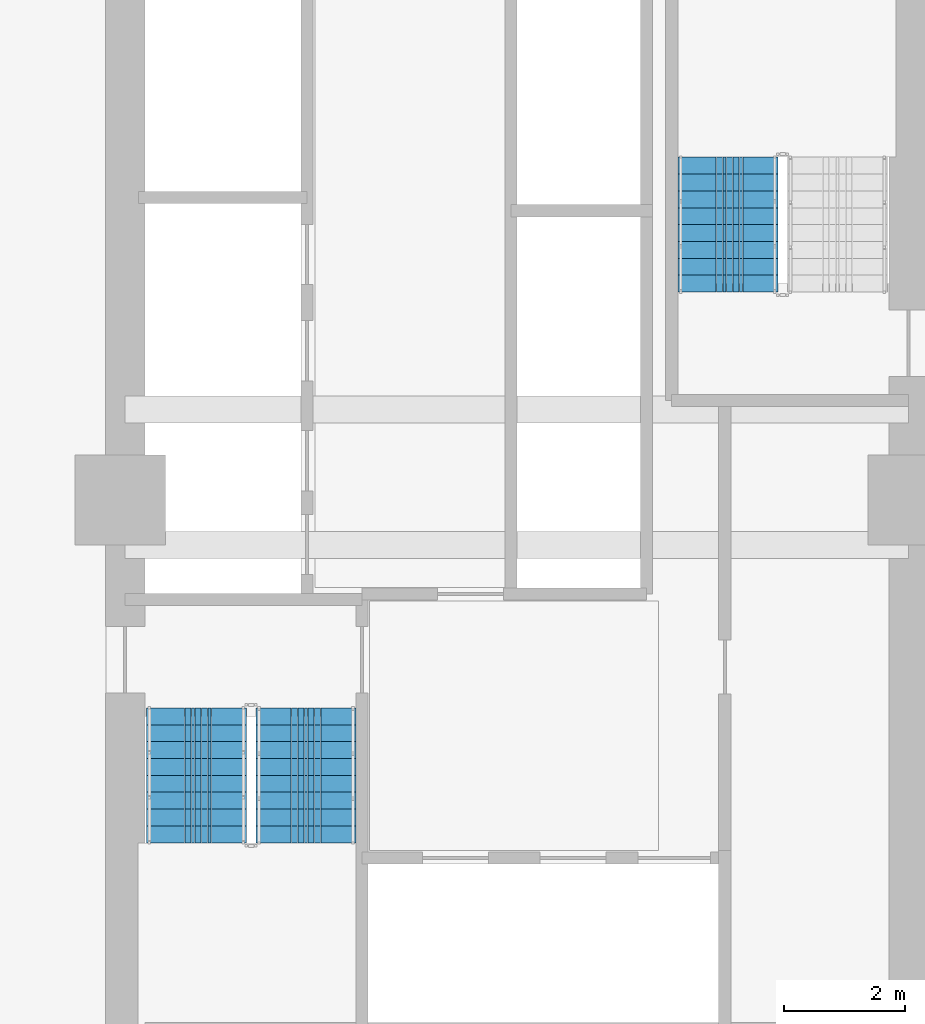
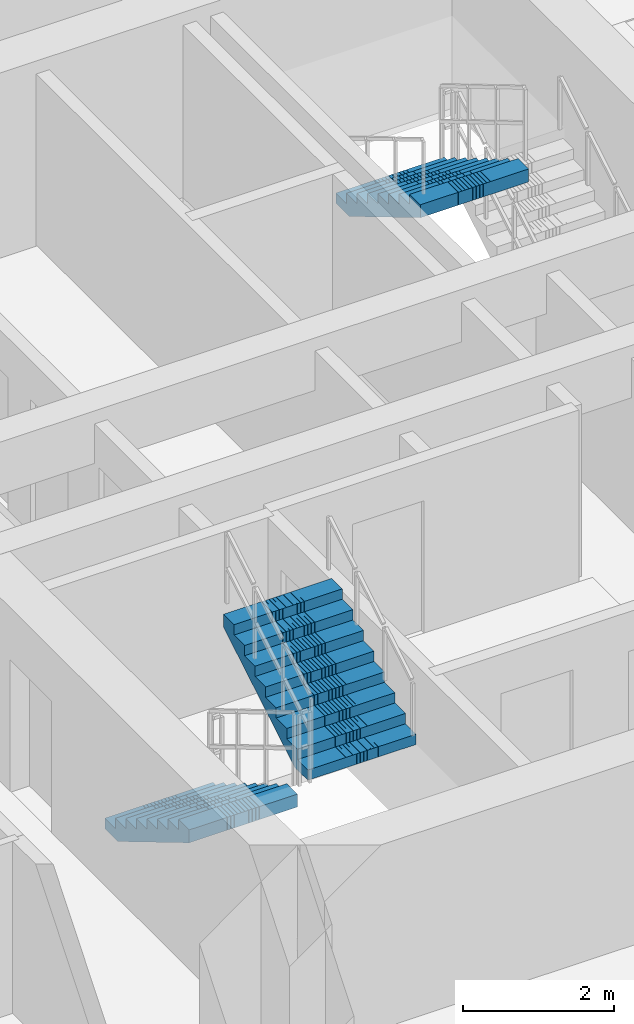
# One storey, part 10 of 19: 3 stair flights, 2 elements without a shape of their own.
"""IFC4 building model written with IfcOpenShell, lengths in metres."""

from ifc_helpers import new_model, si_unit, direction, frame, origin, place, context, subcontext, project, spatial, polyline, outline, extrude, material, type_object, element, aggregate, save


model = new_model("IFC4")

# Units and contexts
model_context = context("Model", 3, precision=1e-05, world=origin(), true_north=direction((0.0, 1.0)))
body_context = subcontext(model_context, "Body", "Model", "MODEL_VIEW")
ifc_project = project(units=[si_unit("LENGTHUNIT", "METRE"), si_unit("AREAUNIT", "SQUARE_METRE"), si_unit("VOLUMEUNIT", "CUBIC_METRE"), si_unit("PLANEANGLEUNIT", "RADIAN"), si_unit("MASSUNIT", "GRAM", prefix="KILO")], contexts=[model_context])

# Site, building, storey
site_placement = place(None, origin())
site = spatial("IfcSite", under=ifc_project, at=site_placement, CompositionType="ELEMENT")
building_placement = place(site_placement, origin())
building = spatial("IfcBuilding", under=site, at=building_placement, Name="Saelheon Loggia Tower", CompositionType="ELEMENT")
storey_placement = place(building_placement, frame((0.0, 0.0, 19.39990234375)))
storey = spatial("IfcBuildingStorey", under=building, at=storey_placement, Name="L05", CompositionType="ELEMENT", Elevation=19.39990234375)

# Stair, stair flights
ifc_material = material(Name="Concrete C40/50", Category="concrete")
stair_type = type_object("IfcStairType", Name="Stair_Escape_Core", PredefinedType="HALF_TURN_STAIR", material=ifc_material)
stair_1_placement = place(storey_placement, origin())
stair_1 = element("IfcStair", 1, at=stair_1_placement, inside=storey, type_object=stair_type, Name="L05 Special Escape Stair ST1", PredefinedType="HALF_TURN_STAIR")
stair_flight_type = type_object("IfcStairFlightType", Name="StairFlight_Tower_1660", PredefinedType="STRAIGHT", material=ifc_material)
stair_flight_1_placement = place(storey_placement, frame((32.679931640625, 23.550048828125, 0.0), z_axis=(0.0, 0.0, 1.0), x_axis=(0.0, -1.0, 0.0)))
stair_flight_1 = element("IfcStairFlight", 2, at=stair_flight_1_placement, type_object=stair_flight_type, Name="ST1 flight 1", NumberOfRisers=9, NumberOfTreads=8, PredefinedType="STRAIGHT", RiserHeight=0.166666667, TreadLength=0.28, context=body_context, shape_type="SweptSolid", body=[
    extrude(outline(polyline([(0.0, 0.0), (0.0, 0.166748046875), (0.280029296875, 0.166748046875), (0.280029296875, 0.333251953125), (0.56005859375, 0.333251953125), (0.56005859375, 0.5), (0.840087890625, 0.5), (0.840087890625, 0.666748046875), (1.1201171875, 0.666748046875), (1.1201171875, 0.833251953125), (1.39990234375, 0.833251953125), (1.39990234375, 1.0), (1.679931640625, 1.0), (1.679931640625, 1.166748046875), (1.9599609375, 1.166748046875), (1.9599609375, 1.333251953125), (2.239990234375, 1.333251953125), (2.239990234375, 1.5), (2.239990234375, 1.1240234375), (0.351806640625, 0.0), (0.0, 0.0)])), frame((0.0, -0.2490234375, 0.0), z_axis=(0.0, -1.0, 0.0), x_axis=(1.0, 0.0, 0.0)), (0.0, 0.0, 1.0), 0.5810546875),
    extrude(outline(polyline([(0.0, 0.0), (0.0, 0.166748046875), (0.280029296875, 0.166748046875), (0.280029296875, 0.333251953125), (0.56005859375, 0.333251953125), (0.56005859375, 0.5), (0.840087890625, 0.5), (0.840087890625, 0.666748046875), (1.1201171875, 0.666748046875), (1.1201171875, 0.833251953125), (1.39990234375, 0.833251953125), (1.39990234375, 1.0), (1.679931640625, 1.0), (1.679931640625, 1.166748046875), (1.9599609375, 1.166748046875), (1.9599609375, 1.333251953125), (2.239990234375, 1.333251953125), (2.239990234375, 1.5), (2.239990234375, 1.1240234375), (0.351806640625, 0.0), (0.0, 0.0)])), frame((0.0, -0.194091796875, 0.0), z_axis=(0.0, -1.0, 0.0), x_axis=(1.0, 0.0, 0.0)), (0.0, 0.0, 1.0), 0.0498046875),
    extrude(outline(polyline([(0.0, 0.0), (0.0, 0.166748046875), (0.280029296875, 0.166748046875), (0.280029296875, 0.333251953125), (0.56005859375, 0.333251953125), (0.56005859375, 0.5), (0.840087890625, 0.5), (0.840087890625, 0.666748046875), (1.1201171875, 0.666748046875), (1.1201171875, 0.833251953125), (1.39990234375, 0.833251953125), (1.39990234375, 1.0), (1.679931640625, 1.0), (1.679931640625, 1.166748046875), (1.9599609375, 1.166748046875), (1.9599609375, 1.333251953125), (2.239990234375, 1.333251953125), (2.239990234375, 1.5), (2.239990234375, 1.1240234375), (0.351806640625, 0.0), (0.0, 0.0)])), frame((0.0, -0.139404296875, 0.0), z_axis=(0.0, -1.0, 0.0), x_axis=(1.0, 0.0, 0.0)), (0.0, 0.0, 1.0), 0.0498046875),
    extrude(outline(polyline([(0.0, 0.0), (0.0, 0.166748046875), (0.280029296875, 0.166748046875), (0.280029296875, 0.333251953125), (0.56005859375, 0.333251953125), (0.56005859375, 0.5), (0.840087890625, 0.5), (0.840087890625, 0.666748046875), (1.1201171875, 0.666748046875), (1.1201171875, 0.833251953125), (1.39990234375, 0.833251953125), (1.39990234375, 1.0), (1.679931640625, 1.0), (1.679931640625, 1.166748046875), (1.9599609375, 1.166748046875), (1.9599609375, 1.333251953125), (2.239990234375, 1.333251953125), (2.239990234375, 1.5), (2.239990234375, 1.1240234375), (0.351806640625, 0.0), (0.0, 0.0)])), frame((0.0, -0.084716796875, 0.0), z_axis=(0.0, -1.0, 0.0), x_axis=(1.0, 0.0, 0.0)), (0.0, 0.0, 1.0), 0.0498046875),
    extrude(outline(polyline([(0.0, 0.0), (0.0, 0.166748046875), (0.280029296875, 0.166748046875), (0.280029296875, 0.333251953125), (0.56005859375, 0.333251953125), (0.56005859375, 0.5), (0.840087890625, 0.5), (0.840087890625, 0.666748046875), (1.1201171875, 0.666748046875), (1.1201171875, 0.833251953125), (1.39990234375, 0.833251953125), (1.39990234375, 1.0), (1.679931640625, 1.0), (1.679931640625, 1.166748046875), (1.9599609375, 1.166748046875), (1.9599609375, 1.333251953125), (2.239990234375, 1.333251953125), (2.239990234375, 1.5), (2.239990234375, 1.1240234375), (0.351806640625, 0.0), (0.0, 0.0)])), frame((0.0, -0.02978515625, 0.0), z_axis=(0.0, -1.0, 0.0), x_axis=(1.0, 0.0, 0.0)), (0.0, 0.0, 1.0), 0.0498046875),
    extrude(outline(polyline([(0.0, 0.0), (0.0, 0.166748046875), (0.280029296875, 0.166748046875), (0.280029296875, 0.333251953125), (0.56005859375, 0.333251953125), (0.56005859375, 0.5), (0.840087890625, 0.5), (0.840087890625, 0.666748046875), (1.1201171875, 0.666748046875), (1.1201171875, 0.833251953125), (1.39990234375, 0.833251953125), (1.39990234375, 1.0), (1.679931640625, 1.0), (1.679931640625, 1.166748046875), (1.9599609375, 1.166748046875), (1.9599609375, 1.333251953125), (2.239990234375, 1.333251953125), (2.239990234375, 1.5), (2.239990234375, 1.1240234375), (0.351806640625, 0.0), (0.0, 0.0)])), frame((0.0, 0.02490234375, 0.0), z_axis=(0.0, -1.0, 0.0), x_axis=(1.0, 0.0, 0.0)), (0.0, 0.0, 1.0), 0.0498046875),
    extrude(outline(polyline([(0.0, 0.0), (0.0, 0.166748046875), (0.280029296875, 0.166748046875), (0.280029296875, 0.333251953125), (0.56005859375, 0.333251953125), (0.56005859375, 0.5), (0.840087890625, 0.5), (0.840087890625, 0.666748046875), (1.1201171875, 0.666748046875), (1.1201171875, 0.833251953125), (1.39990234375, 0.833251953125), (1.39990234375, 1.0), (1.679931640625, 1.0), (1.679931640625, 1.166748046875), (1.9599609375, 1.166748046875), (1.9599609375, 1.333251953125), (2.239990234375, 1.333251953125), (2.239990234375, 1.5), (2.239990234375, 1.1240234375), (0.351806640625, 0.0), (0.0, 0.0)])), frame((0.0, 0.07958984375, 0.0), z_axis=(0.0, -1.0, 0.0), x_axis=(1.0, 0.0, 0.0)), (0.0, 0.0, 1.0), 0.0498046875),
    extrude(outline(polyline([(0.0, 0.0), (0.0, 0.166748046875), (0.280029296875, 0.166748046875), (0.280029296875, 0.333251953125), (0.56005859375, 0.333251953125), (0.56005859375, 0.5), (0.840087890625, 0.5), (0.840087890625, 0.666748046875), (1.1201171875, 0.666748046875), (1.1201171875, 0.833251953125), (1.39990234375, 0.833251953125), (1.39990234375, 1.0), (1.679931640625, 1.0), (1.679931640625, 1.166748046875), (1.9599609375, 1.166748046875), (1.9599609375, 1.333251953125), (2.239990234375, 1.333251953125), (2.239990234375, 1.5), (2.239990234375, 1.1240234375), (0.351806640625, 0.0), (0.0, 0.0)])), frame((0.0, 0.134521484375, 0.0), z_axis=(0.0, -1.0, 0.0), x_axis=(1.0, 0.0, 0.0)), (0.0, 0.0, 1.0), 0.0498046875),
    extrude(outline(polyline([(0.0, 0.0), (0.0, 0.166748046875), (0.280029296875, 0.166748046875), (0.280029296875, 0.333251953125), (0.56005859375, 0.333251953125), (0.56005859375, 0.5), (0.840087890625, 0.5), (0.840087890625, 0.666748046875), (1.1201171875, 0.666748046875), (1.1201171875, 0.833251953125), (1.39990234375, 0.833251953125), (1.39990234375, 1.0), (1.679931640625, 1.0), (1.679931640625, 1.166748046875), (1.9599609375, 1.166748046875), (1.9599609375, 1.333251953125), (2.239990234375, 1.333251953125), (2.239990234375, 1.5), (2.239990234375, 1.1240234375), (0.351806640625, 0.0), (0.0, 0.0)])), frame((0.0, 0.189208984375, 0.0), z_axis=(0.0, -1.0, 0.0), x_axis=(1.0, 0.0, 0.0)), (0.0, 0.0, 1.0), 0.0498046875),
    extrude(outline(polyline([(0.0, 0.0), (0.0, 0.166748046875), (0.280029296875, 0.166748046875), (0.280029296875, 0.333251953125), (0.56005859375, 0.333251953125), (0.56005859375, 0.5), (0.840087890625, 0.5), (0.840087890625, 0.666748046875), (1.1201171875, 0.666748046875), (1.1201171875, 0.833251953125), (1.39990234375, 0.833251953125), (1.39990234375, 1.0), (1.679931640625, 1.0), (1.679931640625, 1.166748046875), (1.9599609375, 1.166748046875), (1.9599609375, 1.333251953125), (2.239990234375, 1.333251953125), (2.239990234375, 1.5), (2.239990234375, 1.1240234375), (0.351806640625, 0.0), (0.0, 0.0)])), frame((0.0, 0.243896484375, 0.0), z_axis=(0.0, -1.0, 0.0), x_axis=(1.0, 0.0, 0.0)), (0.0, 0.0, 1.0), 0.0498046875),
    extrude(outline(polyline([(0.0, 0.0), (0.0, 0.166748046875), (0.280029296875, 0.166748046875), (0.280029296875, 0.333251953125), (0.56005859375, 0.333251953125), (0.56005859375, 0.5), (0.840087890625, 0.5), (0.840087890625, 0.666748046875), (1.1201171875, 0.666748046875), (1.1201171875, 0.833251953125), (1.39990234375, 0.833251953125), (1.39990234375, 1.0), (1.679931640625, 1.0), (1.679931640625, 1.166748046875), (1.9599609375, 1.166748046875), (1.9599609375, 1.333251953125), (2.239990234375, 1.333251953125), (2.239990234375, 1.5), (2.239990234375, 1.1240234375), (0.351806640625, 0.0), (0.0, 0.0)])), frame((0.0, 0.830078125, 0.0), z_axis=(0.0, -1.0, 0.0), x_axis=(1.0, 0.0, 0.0)), (0.0, 0.0, 1.0), 0.5810546875),
])
stair_flight_2_placement = place(storey_placement, frame((34.5, 21.31005859375, 1.5), z_axis=(0.0, 0.0, 1.0), x_axis=(0.0, 1.0, 0.0)))
stair_flight_2 = element("IfcStairFlight", 3, at=stair_flight_2_placement, type_object=stair_flight_type, Name="ST1 flight 2", NumberOfRisers=9, NumberOfTreads=8, PredefinedType="STRAIGHT", RiserHeight=0.166666667, TreadLength=0.28, context=body_context, shape_type="SweptSolid", body=[
    extrude(outline(polyline([(0.0, 0.0), (0.0, 0.166748046875), (0.280029296875, 0.166748046875), (0.280029296875, 0.333251953125), (0.56005859375, 0.333251953125), (0.56005859375, 0.5), (0.840087890625, 0.5), (0.840087890625, 0.666748046875), (1.1201171875, 0.666748046875), (1.1201171875, 0.833251953125), (1.39990234375, 0.833251953125), (1.39990234375, 1.0), (1.679931640625, 1.0), (1.679931640625, 1.166748046875), (1.9599609375, 1.166748046875), (1.9599609375, 1.333251953125), (2.239990234375, 1.333251953125), (2.239990234375, 1.5), (2.239990234375, 1.1240234375), (0.351806640625, 0.0), (0.0, 0.0)])), frame((0.0, -0.2490234375, 0.0), z_axis=(0.0, -1.0, 0.0), x_axis=(1.0, 0.0, 0.0)), (0.0, 0.0, 1.0), 0.5810546875),
    extrude(outline(polyline([(0.0, 0.0), (0.0, 0.166748046875), (0.280029296875, 0.166748046875), (0.280029296875, 0.333251953125), (0.56005859375, 0.333251953125), (0.56005859375, 0.5), (0.840087890625, 0.5), (0.840087890625, 0.666748046875), (1.1201171875, 0.666748046875), (1.1201171875, 0.833251953125), (1.39990234375, 0.833251953125), (1.39990234375, 1.0), (1.679931640625, 1.0), (1.679931640625, 1.166748046875), (1.9599609375, 1.166748046875), (1.9599609375, 1.333251953125), (2.239990234375, 1.333251953125), (2.239990234375, 1.5), (2.239990234375, 1.1240234375), (0.351806640625, 0.0), (0.0, 0.0)])), frame((0.0, -0.194091796875, 0.0), z_axis=(0.0, -1.0, 0.0), x_axis=(1.0, 0.0, 0.0)), (0.0, 0.0, 1.0), 0.0498046875),
    extrude(outline(polyline([(0.0, 0.0), (0.0, 0.166748046875), (0.280029296875, 0.166748046875), (0.280029296875, 0.333251953125), (0.56005859375, 0.333251953125), (0.56005859375, 0.5), (0.840087890625, 0.5), (0.840087890625, 0.666748046875), (1.1201171875, 0.666748046875), (1.1201171875, 0.833251953125), (1.39990234375, 0.833251953125), (1.39990234375, 1.0), (1.679931640625, 1.0), (1.679931640625, 1.166748046875), (1.9599609375, 1.166748046875), (1.9599609375, 1.333251953125), (2.239990234375, 1.333251953125), (2.239990234375, 1.5), (2.239990234375, 1.1240234375), (0.351806640625, 0.0), (0.0, 0.0)])), frame((0.0, -0.139404296875, 0.0), z_axis=(0.0, -1.0, 0.0), x_axis=(1.0, 0.0, 0.0)), (0.0, 0.0, 1.0), 0.0498046875),
    extrude(outline(polyline([(0.0, 0.0), (0.0, 0.166748046875), (0.280029296875, 0.166748046875), (0.280029296875, 0.333251953125), (0.56005859375, 0.333251953125), (0.56005859375, 0.5), (0.840087890625, 0.5), (0.840087890625, 0.666748046875), (1.1201171875, 0.666748046875), (1.1201171875, 0.833251953125), (1.39990234375, 0.833251953125), (1.39990234375, 1.0), (1.679931640625, 1.0), (1.679931640625, 1.166748046875), (1.9599609375, 1.166748046875), (1.9599609375, 1.333251953125), (2.239990234375, 1.333251953125), (2.239990234375, 1.5), (2.239990234375, 1.1240234375), (0.351806640625, 0.0), (0.0, 0.0)])), frame((0.0, -0.084716796875, 0.0), z_axis=(0.0, -1.0, 0.0), x_axis=(1.0, 0.0, 0.0)), (0.0, 0.0, 1.0), 0.0498046875),
    extrude(outline(polyline([(0.0, 0.0), (0.0, 0.166748046875), (0.280029296875, 0.166748046875), (0.280029296875, 0.333251953125), (0.56005859375, 0.333251953125), (0.56005859375, 0.5), (0.840087890625, 0.5), (0.840087890625, 0.666748046875), (1.1201171875, 0.666748046875), (1.1201171875, 0.833251953125), (1.39990234375, 0.833251953125), (1.39990234375, 1.0), (1.679931640625, 1.0), (1.679931640625, 1.166748046875), (1.9599609375, 1.166748046875), (1.9599609375, 1.333251953125), (2.239990234375, 1.333251953125), (2.239990234375, 1.5), (2.239990234375, 1.1240234375), (0.351806640625, 0.0), (0.0, 0.0)])), frame((0.0, -0.02978515625, 0.0), z_axis=(0.0, -1.0, 0.0), x_axis=(1.0, 0.0, 0.0)), (0.0, 0.0, 1.0), 0.0498046875),
    extrude(outline(polyline([(0.0, 0.0), (0.0, 0.166748046875), (0.280029296875, 0.166748046875), (0.280029296875, 0.333251953125), (0.56005859375, 0.333251953125), (0.56005859375, 0.5), (0.840087890625, 0.5), (0.840087890625, 0.666748046875), (1.1201171875, 0.666748046875), (1.1201171875, 0.833251953125), (1.39990234375, 0.833251953125), (1.39990234375, 1.0), (1.679931640625, 1.0), (1.679931640625, 1.166748046875), (1.9599609375, 1.166748046875), (1.9599609375, 1.333251953125), (2.239990234375, 1.333251953125), (2.239990234375, 1.5), (2.239990234375, 1.1240234375), (0.351806640625, 0.0), (0.0, 0.0)])), frame((0.0, 0.02490234375, 0.0), z_axis=(0.0, -1.0, 0.0), x_axis=(1.0, 0.0, 0.0)), (0.0, 0.0, 1.0), 0.0498046875),
    extrude(outline(polyline([(0.0, 0.0), (0.0, 0.166748046875), (0.280029296875, 0.166748046875), (0.280029296875, 0.333251953125), (0.56005859375, 0.333251953125), (0.56005859375, 0.5), (0.840087890625, 0.5), (0.840087890625, 0.666748046875), (1.1201171875, 0.666748046875), (1.1201171875, 0.833251953125), (1.39990234375, 0.833251953125), (1.39990234375, 1.0), (1.679931640625, 1.0), (1.679931640625, 1.166748046875), (1.9599609375, 1.166748046875), (1.9599609375, 1.333251953125), (2.239990234375, 1.333251953125), (2.239990234375, 1.5), (2.239990234375, 1.1240234375), (0.351806640625, 0.0), (0.0, 0.0)])), frame((0.0, 0.07958984375, 0.0), z_axis=(0.0, -1.0, 0.0), x_axis=(1.0, 0.0, 0.0)), (0.0, 0.0, 1.0), 0.0498046875),
    extrude(outline(polyline([(0.0, 0.0), (0.0, 0.166748046875), (0.280029296875, 0.166748046875), (0.280029296875, 0.333251953125), (0.56005859375, 0.333251953125), (0.56005859375, 0.5), (0.840087890625, 0.5), (0.840087890625, 0.666748046875), (1.1201171875, 0.666748046875), (1.1201171875, 0.833251953125), (1.39990234375, 0.833251953125), (1.39990234375, 1.0), (1.679931640625, 1.0), (1.679931640625, 1.166748046875), (1.9599609375, 1.166748046875), (1.9599609375, 1.333251953125), (2.239990234375, 1.333251953125), (2.239990234375, 1.5), (2.239990234375, 1.1240234375), (0.351806640625, 0.0), (0.0, 0.0)])), frame((0.0, 0.134521484375, 0.0), z_axis=(0.0, -1.0, 0.0), x_axis=(1.0, 0.0, 0.0)), (0.0, 0.0, 1.0), 0.0498046875),
    extrude(outline(polyline([(0.0, 0.0), (0.0, 0.166748046875), (0.280029296875, 0.166748046875), (0.280029296875, 0.333251953125), (0.56005859375, 0.333251953125), (0.56005859375, 0.5), (0.840087890625, 0.5), (0.840087890625, 0.666748046875), (1.1201171875, 0.666748046875), (1.1201171875, 0.833251953125), (1.39990234375, 0.833251953125), (1.39990234375, 1.0), (1.679931640625, 1.0), (1.679931640625, 1.166748046875), (1.9599609375, 1.166748046875), (1.9599609375, 1.333251953125), (2.239990234375, 1.333251953125), (2.239990234375, 1.5), (2.239990234375, 1.1240234375), (0.351806640625, 0.0), (0.0, 0.0)])), frame((0.0, 0.189208984375, 0.0), z_axis=(0.0, -1.0, 0.0), x_axis=(1.0, 0.0, 0.0)), (0.0, 0.0, 1.0), 0.0498046875),
    extrude(outline(polyline([(0.0, 0.0), (0.0, 0.166748046875), (0.280029296875, 0.166748046875), (0.280029296875, 0.333251953125), (0.56005859375, 0.333251953125), (0.56005859375, 0.5), (0.840087890625, 0.5), (0.840087890625, 0.666748046875), (1.1201171875, 0.666748046875), (1.1201171875, 0.833251953125), (1.39990234375, 0.833251953125), (1.39990234375, 1.0), (1.679931640625, 1.0), (1.679931640625, 1.166748046875), (1.9599609375, 1.166748046875), (1.9599609375, 1.333251953125), (2.239990234375, 1.333251953125), (2.239990234375, 1.5), (2.239990234375, 1.1240234375), (0.351806640625, 0.0), (0.0, 0.0)])), frame((0.0, 0.243896484375, 0.0), z_axis=(0.0, -1.0, 0.0), x_axis=(1.0, 0.0, 0.0)), (0.0, 0.0, 1.0), 0.0498046875),
    extrude(outline(polyline([(0.0, 0.0), (0.0, 0.166748046875), (0.280029296875, 0.166748046875), (0.280029296875, 0.333251953125), (0.56005859375, 0.333251953125), (0.56005859375, 0.5), (0.840087890625, 0.5), (0.840087890625, 0.666748046875), (1.1201171875, 0.666748046875), (1.1201171875, 0.833251953125), (1.39990234375, 0.833251953125), (1.39990234375, 1.0), (1.679931640625, 1.0), (1.679931640625, 1.166748046875), (1.9599609375, 1.166748046875), (1.9599609375, 1.333251953125), (2.239990234375, 1.333251953125), (2.239990234375, 1.5), (2.239990234375, 1.1240234375), (0.351806640625, 0.0), (0.0, 0.0)])), frame((0.0, 0.830078125, 0.0), z_axis=(0.0, -1.0, 0.0), x_axis=(1.0, 0.0, 0.0)), (0.0, 0.0, 1.0), 0.5810546875),
])
aggregate(stair_1, [stair_flight_1, stair_flight_2])

# Stair, stair flight
stair_2_placement = place(storey_placement, origin())
stair_2 = element("IfcStair", 4, at=stair_2_placement, inside=storey, type_object=stair_type, Name="L05 Special Escape Stair ST2", PredefinedType="HALF_TURN_STAIR")
stair_flight_3_placement = place(storey_placement, frame((41.5, 32.68994140625, 1.5), z_axis=(0.0, 0.0, 1.0), x_axis=(0.0, -1.0, 0.0)))
stair_flight_3 = element("IfcStairFlight", 5, at=stair_flight_3_placement, type_object=stair_flight_type, Name="ST2 flight 2", NumberOfRisers=9, NumberOfTreads=8, PredefinedType="STRAIGHT", RiserHeight=0.166666667, TreadLength=0.28, context=body_context, shape_type="SweptSolid", body=[
    extrude(outline(polyline([(0.0, 0.0), (0.0, 0.166748046875), (0.280029296875, 0.166748046875), (0.280029296875, 0.333251953125), (0.56005859375, 0.333251953125), (0.56005859375, 0.5), (0.840087890625, 0.5), (0.840087890625, 0.666748046875), (1.1201171875, 0.666748046875), (1.1201171875, 0.833251953125), (1.39990234375, 0.833251953125), (1.39990234375, 1.0), (1.679931640625, 1.0), (1.679931640625, 1.166748046875), (1.9599609375, 1.166748046875), (1.9599609375, 1.333251953125), (2.239990234375, 1.333251953125), (2.239990234375, 1.5), (2.239990234375, 1.1240234375), (0.351806640625, 0.0), (0.0, 0.0)])), frame((0.0, -0.2490234375, 0.0), z_axis=(0.0, -1.0, 0.0), x_axis=(1.0, 0.0, 0.0)), (0.0, 0.0, 1.0), 0.5810546875),
    extrude(outline(polyline([(0.0, 0.0), (0.0, 0.166748046875), (0.280029296875, 0.166748046875), (0.280029296875, 0.333251953125), (0.56005859375, 0.333251953125), (0.56005859375, 0.5), (0.840087890625, 0.5), (0.840087890625, 0.666748046875), (1.1201171875, 0.666748046875), (1.1201171875, 0.833251953125), (1.39990234375, 0.833251953125), (1.39990234375, 1.0), (1.679931640625, 1.0), (1.679931640625, 1.166748046875), (1.9599609375, 1.166748046875), (1.9599609375, 1.333251953125), (2.239990234375, 1.333251953125), (2.239990234375, 1.5), (2.239990234375, 1.1240234375), (0.351806640625, 0.0), (0.0, 0.0)])), frame((0.0, -0.194091796875, 0.0), z_axis=(0.0, -1.0, 0.0), x_axis=(1.0, 0.0, 0.0)), (0.0, 0.0, 1.0), 0.0498046875),
    extrude(outline(polyline([(0.0, 0.0), (0.0, 0.166748046875), (0.280029296875, 0.166748046875), (0.280029296875, 0.333251953125), (0.56005859375, 0.333251953125), (0.56005859375, 0.5), (0.840087890625, 0.5), (0.840087890625, 0.666748046875), (1.1201171875, 0.666748046875), (1.1201171875, 0.833251953125), (1.39990234375, 0.833251953125), (1.39990234375, 1.0), (1.679931640625, 1.0), (1.679931640625, 1.166748046875), (1.9599609375, 1.166748046875), (1.9599609375, 1.333251953125), (2.239990234375, 1.333251953125), (2.239990234375, 1.5), (2.239990234375, 1.1240234375), (0.351806640625, 0.0), (0.0, 0.0)])), frame((0.0, -0.139404296875, 0.0), z_axis=(0.0, -1.0, 0.0), x_axis=(1.0, 0.0, 0.0)), (0.0, 0.0, 1.0), 0.0498046875),
    extrude(outline(polyline([(0.0, 0.0), (0.0, 0.166748046875), (0.280029296875, 0.166748046875), (0.280029296875, 0.333251953125), (0.56005859375, 0.333251953125), (0.56005859375, 0.5), (0.840087890625, 0.5), (0.840087890625, 0.666748046875), (1.1201171875, 0.666748046875), (1.1201171875, 0.833251953125), (1.39990234375, 0.833251953125), (1.39990234375, 1.0), (1.679931640625, 1.0), (1.679931640625, 1.166748046875), (1.9599609375, 1.166748046875), (1.9599609375, 1.333251953125), (2.239990234375, 1.333251953125), (2.239990234375, 1.5), (2.239990234375, 1.1240234375), (0.351806640625, 0.0), (0.0, 0.0)])), frame((0.0, -0.084716796875, 0.0), z_axis=(0.0, -1.0, 0.0), x_axis=(1.0, 0.0, 0.0)), (0.0, 0.0, 1.0), 0.0498046875),
    extrude(outline(polyline([(0.0, 0.0), (0.0, 0.166748046875), (0.280029296875, 0.166748046875), (0.280029296875, 0.333251953125), (0.56005859375, 0.333251953125), (0.56005859375, 0.5), (0.840087890625, 0.5), (0.840087890625, 0.666748046875), (1.1201171875, 0.666748046875), (1.1201171875, 0.833251953125), (1.39990234375, 0.833251953125), (1.39990234375, 1.0), (1.679931640625, 1.0), (1.679931640625, 1.166748046875), (1.9599609375, 1.166748046875), (1.9599609375, 1.333251953125), (2.239990234375, 1.333251953125), (2.239990234375, 1.5), (2.239990234375, 1.1240234375), (0.351806640625, 0.0), (0.0, 0.0)])), frame((0.0, -0.02978515625, 0.0), z_axis=(0.0, -1.0, 0.0), x_axis=(1.0, 0.0, 0.0)), (0.0, 0.0, 1.0), 0.0498046875),
    extrude(outline(polyline([(0.0, 0.0), (0.0, 0.166748046875), (0.280029296875, 0.166748046875), (0.280029296875, 0.333251953125), (0.56005859375, 0.333251953125), (0.56005859375, 0.5), (0.840087890625, 0.5), (0.840087890625, 0.666748046875), (1.1201171875, 0.666748046875), (1.1201171875, 0.833251953125), (1.39990234375, 0.833251953125), (1.39990234375, 1.0), (1.679931640625, 1.0), (1.679931640625, 1.166748046875), (1.9599609375, 1.166748046875), (1.9599609375, 1.333251953125), (2.239990234375, 1.333251953125), (2.239990234375, 1.5), (2.239990234375, 1.1240234375), (0.351806640625, 0.0), (0.0, 0.0)])), frame((0.0, 0.02490234375, 0.0), z_axis=(0.0, -1.0, 0.0), x_axis=(1.0, 0.0, 0.0)), (0.0, 0.0, 1.0), 0.0498046875),
    extrude(outline(polyline([(0.0, 0.0), (0.0, 0.166748046875), (0.280029296875, 0.166748046875), (0.280029296875, 0.333251953125), (0.56005859375, 0.333251953125), (0.56005859375, 0.5), (0.840087890625, 0.5), (0.840087890625, 0.666748046875), (1.1201171875, 0.666748046875), (1.1201171875, 0.833251953125), (1.39990234375, 0.833251953125), (1.39990234375, 1.0), (1.679931640625, 1.0), (1.679931640625, 1.166748046875), (1.9599609375, 1.166748046875), (1.9599609375, 1.333251953125), (2.239990234375, 1.333251953125), (2.239990234375, 1.5), (2.239990234375, 1.1240234375), (0.351806640625, 0.0), (0.0, 0.0)])), frame((0.0, 0.07958984375, 0.0), z_axis=(0.0, -1.0, 0.0), x_axis=(1.0, 0.0, 0.0)), (0.0, 0.0, 1.0), 0.0498046875),
    extrude(outline(polyline([(0.0, 0.0), (0.0, 0.166748046875), (0.280029296875, 0.166748046875), (0.280029296875, 0.333251953125), (0.56005859375, 0.333251953125), (0.56005859375, 0.5), (0.840087890625, 0.5), (0.840087890625, 0.666748046875), (1.1201171875, 0.666748046875), (1.1201171875, 0.833251953125), (1.39990234375, 0.833251953125), (1.39990234375, 1.0), (1.679931640625, 1.0), (1.679931640625, 1.166748046875), (1.9599609375, 1.166748046875), (1.9599609375, 1.333251953125), (2.239990234375, 1.333251953125), (2.239990234375, 1.5), (2.239990234375, 1.1240234375), (0.351806640625, 0.0), (0.0, 0.0)])), frame((0.0, 0.134521484375, 0.0), z_axis=(0.0, -1.0, 0.0), x_axis=(1.0, 0.0, 0.0)), (0.0, 0.0, 1.0), 0.0498046875),
    extrude(outline(polyline([(0.0, 0.0), (0.0, 0.166748046875), (0.280029296875, 0.166748046875), (0.280029296875, 0.333251953125), (0.56005859375, 0.333251953125), (0.56005859375, 0.5), (0.840087890625, 0.5), (0.840087890625, 0.666748046875), (1.1201171875, 0.666748046875), (1.1201171875, 0.833251953125), (1.39990234375, 0.833251953125), (1.39990234375, 1.0), (1.679931640625, 1.0), (1.679931640625, 1.166748046875), (1.9599609375, 1.166748046875), (1.9599609375, 1.333251953125), (2.239990234375, 1.333251953125), (2.239990234375, 1.5), (2.239990234375, 1.1240234375), (0.351806640625, 0.0), (0.0, 0.0)])), frame((0.0, 0.189208984375, 0.0), z_axis=(0.0, -1.0, 0.0), x_axis=(1.0, 0.0, 0.0)), (0.0, 0.0, 1.0), 0.0498046875),
    extrude(outline(polyline([(0.0, 0.0), (0.0, 0.166748046875), (0.280029296875, 0.166748046875), (0.280029296875, 0.333251953125), (0.56005859375, 0.333251953125), (0.56005859375, 0.5), (0.840087890625, 0.5), (0.840087890625, 0.666748046875), (1.1201171875, 0.666748046875), (1.1201171875, 0.833251953125), (1.39990234375, 0.833251953125), (1.39990234375, 1.0), (1.679931640625, 1.0), (1.679931640625, 1.166748046875), (1.9599609375, 1.166748046875), (1.9599609375, 1.333251953125), (2.239990234375, 1.333251953125), (2.239990234375, 1.5), (2.239990234375, 1.1240234375), (0.351806640625, 0.0), (0.0, 0.0)])), frame((0.0, 0.243896484375, 0.0), z_axis=(0.0, -1.0, 0.0), x_axis=(1.0, 0.0, 0.0)), (0.0, 0.0, 1.0), 0.0498046875),
    extrude(outline(polyline([(0.0, 0.0), (0.0, 0.166748046875), (0.280029296875, 0.166748046875), (0.280029296875, 0.333251953125), (0.56005859375, 0.333251953125), (0.56005859375, 0.5), (0.840087890625, 0.5), (0.840087890625, 0.666748046875), (1.1201171875, 0.666748046875), (1.1201171875, 0.833251953125), (1.39990234375, 0.833251953125), (1.39990234375, 1.0), (1.679931640625, 1.0), (1.679931640625, 1.166748046875), (1.9599609375, 1.166748046875), (1.9599609375, 1.333251953125), (2.239990234375, 1.333251953125), (2.239990234375, 1.5), (2.239990234375, 1.1240234375), (0.351806640625, 0.0), (0.0, 0.0)])), frame((0.0, 0.830078125, 0.0), z_axis=(0.0, -1.0, 0.0), x_axis=(1.0, 0.0, 0.0)), (0.0, 0.0, 1.0), 0.5810546875),
])
aggregate(stair_2, [stair_flight_3])

save(model, "model.ifc")
